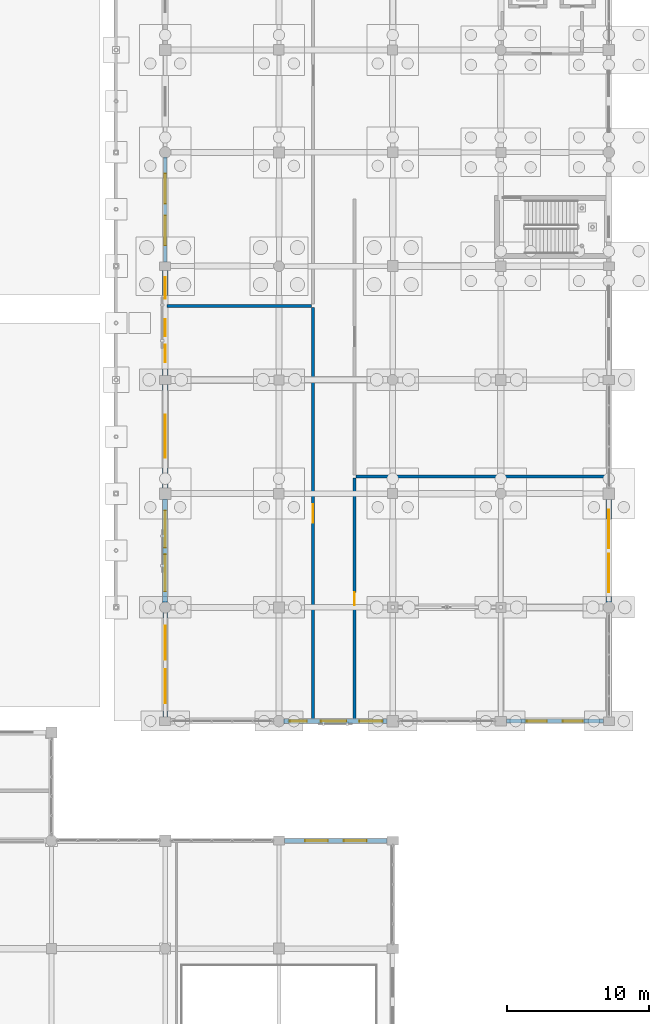
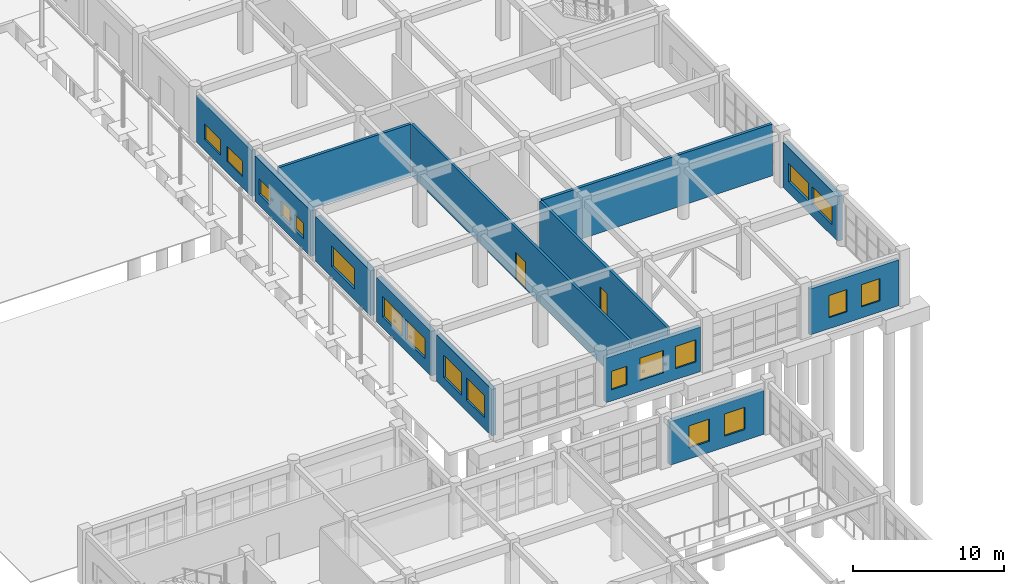
# One storey, part 139 of 166: 19 windows, 13 walls, 2 doors, 21 openings.
"""IFC4 building model written with IfcOpenShell, lengths in metres."""

from ifc_helpers import new_model, si_unit, direction, frame, frame_2d, origin, place, context, subcontext, project, spatial, rectangle, extrude, material, layer, layer_set, type_object, element, fill, save


model = new_model("IFC4")

# Units and contexts
model_context = context("Model", 3, precision=1e-05, world=origin(), true_north=direction((0.0, 1.0)))
body_context = subcontext(model_context, "Body", "Model", "MODEL_VIEW")
ifc_project = project(units=[si_unit("LENGTHUNIT", "METRE"), si_unit("AREAUNIT", "SQUARE_METRE"), si_unit("VOLUMEUNIT", "CUBIC_METRE"), si_unit("PLANEANGLEUNIT", "RADIAN"), si_unit("MASSUNIT", "GRAM", prefix="KILO")], contexts=[model_context])

# Site, building, storey
site_placement = place(None, origin())
site = spatial("IfcSite", under=ifc_project, at=site_placement, CompositionType="ELEMENT")
building_placement = place(site_placement, origin())
building = spatial("IfcBuilding", under=site, at=building_placement, Name="Kharva Crest Polytechnic", CompositionType="ELEMENT")
storey_placement = place(building_placement, origin())
storey = spatial("IfcBuildingStorey", under=building, at=storey_placement, Name="L00", CompositionType="ELEMENT", Elevation=0.0)

# Wall, openings, windows
ifc_material_1 = material(Name="Kiln brick masonry", Category="masonry")
ifc_layer_1 = layer(ifc_material_1, 0.260009765625, Name="Kiln brick masonry")
ifc_layer_set_1 = layer_set([ifc_layer_1], Name="Kiln brick masonry")
wall_type_1 = type_object("IfcWallType", Name="WL-EXT-BRK-260", PredefinedType="SOLIDWALL", material=ifc_layer_set_1)
wall_1_placement = place(storey_placement, frame((152.800048828125, 78.464111328125, 0.0), z_axis=(0.0, 0.0, 1.0), x_axis=(0.0, -1.0, 0.0)))
wall_1 = element("IfcWall", 1, at=wall_1_placement, inside=storey, type_object=wall_type_1, Name="L00 Exterior Brick Wall 96", PredefinedType="SOLIDWALL", context=body_context, shape_type="SweptSolid", body=[
    extrude(rectangle(XDim=7.369140625, YDim=0.260009765625, at=frame_2d((3.6845703125, 0.0))), origin(), (0.0, 0.0, 1.0), 3.760009765625),
])
opening_1_placement = place(wall_1_placement, frame((1.1630859375, 0.0, 0.89990234375)))
opening_1 = element("IfcOpeningElement", 2, at=opening_1_placement, cuts=wall_1, Name="Opening W18", PredefinedType="OPENING", context=body_context, shape_type="SweptSolid", body=[
    extrude(rectangle(XDim=2.10009765625, YDim=1.25, at=frame_2d((1.050048828125, 0.625))), frame((0.0, 0.139892578125, 0.0), z_axis=(0.0, -1.0, 0.0), x_axis=(1.0, 0.0, 0.0)), (0.0, 0.0, 1.0), 0.280029296875),
])
opening_2_placement = place(wall_1_placement, frame((4.10595703125, 0.0, 0.89990234375)))
opening_2 = element("IfcOpeningElement", 3, at=opening_2_placement, cuts=wall_1, Name="Opening W18", PredefinedType="OPENING", context=body_context, shape_type="SweptSolid", body=[
    extrude(rectangle(XDim=2.10009765625, YDim=1.25, at=frame_2d((1.050048828125, 0.625))), frame((0.0, 0.139892578125, 0.0), z_axis=(0.0, -1.0, 0.0), x_axis=(1.0, 0.0, 0.0)), (0.0, 0.0, 1.0), 0.280029296875),
])
ifc_material_2 = material(Name="Anodised aluminium", Category="aluminium")
window_type_1 = type_object("IfcWindowType", Name="WIN-ALU-2100X1250", PartitioningType="SINGLE_PANEL", PredefinedType="WINDOW", material=ifc_material_2)
window_1_placement = place(opening_1_placement, origin())
window_1 = element("IfcWindow", 4, at=window_1_placement, inside=storey, type_object=window_type_1, Name="L00 Exterior Window 113", OverallHeight=1.25, OverallWidth=2.10009765625, PartitioningType="SINGLE_PANEL", PredefinedType="WINDOW", context=body_context, shape_type="SweptSolid", body=[
    extrude(rectangle(XDim=2.10009765625, YDim=1.25, at=frame_2d((1.050048828125, 0.625))), frame((0.0, 0.030029296875, 0.0), z_axis=(0.0, -1.0, 0.0), x_axis=(1.0, 0.0, 0.0)), (0.0, 0.0, 1.0), 0.06005859375),
])
fill(opening_1, window_1)
window_2_placement = place(opening_2_placement, origin())
window_2 = element("IfcWindow", 5, at=window_2_placement, inside=storey, type_object=window_type_1, Name="L00 Exterior Window 114", OverallHeight=1.25, OverallWidth=2.10009765625, PartitioningType="SINGLE_PANEL", PredefinedType="WINDOW", context=body_context, shape_type="SweptSolid", body=[
    extrude(rectangle(XDim=2.10009765625, YDim=1.25, at=frame_2d((1.050048828125, 0.625))), frame((0.0, 0.030029296875, 0.0), z_axis=(0.0, -1.0, 0.0), x_axis=(1.0, 0.0, 0.0)), (0.0, 0.0, 1.0), 0.06005859375),
])
fill(opening_2, window_2)

ifc_layer_2 = layer(ifc_material_1, 0.27490234375, Name="Kiln brick masonry")
ifc_layer_set_2 = layer_set([ifc_layer_2], Name="Kiln brick masonry")
wall_type_2 = type_object("IfcWallType", Name="WL-EXT-BRK-275", PredefinedType="SOLIDWALL", material=ifc_layer_set_2)
wall_2_placement = place(storey_placement, frame((176.794921875, 38.800048828125, 0.0), z_axis=(0.0, 0.0, 1.0), x_axis=(1.0, 0.0, 0.0)))
wall_2 = element("IfcWall", 6, at=wall_2_placement, inside=storey, type_object=wall_type_2, Name="L00 Exterior Brick Wall 102", PredefinedType="SOLIDWALL", context=body_context, shape_type="SweptSolid", body=[
    extrude(rectangle(XDim=6.820068359375, YDim=0.27490234375, at=frame_2d((3.41015625, 0.0))), origin(), (0.0, 0.0, 1.0), 3.719970703125),
])
opening_3_placement = place(wall_2_placement, frame((1.447021484375, 0.0, 0.89990234375)))
opening_3 = element("IfcOpeningElement", 7, at=opening_3_placement, cuts=wall_2, Name="Opening W07", PredefinedType="OPENING", context=body_context, shape_type="SweptSolid", body=[
    extrude(rectangle(XDim=1.39990234375, YDim=1.800048828125, at=frame_2d((0.699951171875, 0.89990234375))), frame((0.0, 0.1474609375, 0.0), z_axis=(0.0, -1.0, 0.0), x_axis=(1.0, 0.0, 0.0)), (0.0, 0.0, 1.0), 0.294921875),
])
opening_4_placement = place(wall_2_placement, frame((3.972900390625, 0.0, 0.89990234375)))
opening_4 = element("IfcOpeningElement", 8, at=opening_4_placement, cuts=wall_2, Name="Opening W07", PredefinedType="OPENING", context=body_context, shape_type="SweptSolid", body=[
    extrude(rectangle(XDim=1.39990234375, YDim=1.800048828125, at=frame_2d((0.699951171875, 0.89990234375))), frame((0.0, 0.1474609375, 0.0), z_axis=(0.0, -1.0, 0.0), x_axis=(1.0, 0.0, 0.0)), (0.0, 0.0, 1.0), 0.294921875),
])
window_type_2 = type_object("IfcWindowType", Name="WIN-ALU-1400X1800", PartitioningType="SINGLE_PANEL", PredefinedType="WINDOW", material=ifc_material_2)
window_3_placement = place(opening_3_placement, origin())
window_3 = element("IfcWindow", 9, at=window_3_placement, inside=storey, type_object=window_type_2, Name="L00 Exterior Window 126", OverallHeight=1.800048828125, OverallWidth=1.39990234375, PartitioningType="SINGLE_PANEL", PredefinedType="WINDOW", context=body_context, shape_type="SweptSolid", body=[
    extrude(rectangle(XDim=1.39990234375, YDim=1.800048828125, at=frame_2d((0.699951171875, 0.89990234375))), frame((0.0, 0.030029296875, 0.0), z_axis=(0.0, -1.0, 0.0), x_axis=(1.0, 0.0, 0.0)), (0.0, 0.0, 1.0), 0.06005859375),
])
fill(opening_3, window_3)
window_4_placement = place(opening_4_placement, origin())
window_4 = element("IfcWindow", 10, at=window_4_placement, inside=storey, type_object=window_type_2, Name="L00 Exterior Window 127", OverallHeight=1.800048828125, OverallWidth=1.39990234375, PartitioningType="SINGLE_PANEL", PredefinedType="WINDOW", context=body_context, shape_type="SweptSolid", body=[
    extrude(rectangle(XDim=1.39990234375, YDim=1.800048828125, at=frame_2d((0.699951171875, 0.89990234375))), frame((0.0, 0.030029296875, 0.0), z_axis=(0.0, -1.0, 0.0), x_axis=(1.0, 0.0, 0.0)), (0.0, 0.0, 1.0), 0.06005859375),
])
fill(opening_4, window_4)

ifc_layer_3 = layer(ifc_material_1, 0.304931640625, Name="Kiln brick masonry")
ifc_layer_set_3 = layer_set([ifc_layer_3], Name="Kiln brick masonry")
wall_type_3 = type_object("IfcWallType", Name="WL-EXT-BRK-305", PredefinedType="SOLIDWALL", material=ifc_layer_set_3)
wall_3_placement = place(storey_placement, frame((161.135986328125, 38.800048828125, 0.0), z_axis=(0.0, 0.0, 1.0), x_axis=(1.0, 0.0, 0.0)))
wall_3 = element("IfcWall", 11, at=wall_3_placement, inside=storey, type_object=wall_type_3, Name="L00 Exterior Brick Wall 101", PredefinedType="SOLIDWALL", context=body_context, shape_type="SweptSolid", body=[
    extrude(rectangle(XDim=7.26904296875, YDim=0.304931640625, at=frame_2d((3.634521484375, 0.0))), origin(), (0.0, 0.0, 1.0), 3.6201171875),
])
opening_5_placement = place(wall_3_placement, frame((0.427001953125, 0.0, 0.89990234375)))
opening_5 = element("IfcOpeningElement", 12, at=opening_5_placement, cuts=wall_3, Name="Opening W16", PredefinedType="OPENING", context=body_context, shape_type="SweptSolid", body=[
    extrude(rectangle(XDim=1.199951171875, YDim=1.5, at=frame_2d((0.60009765625, 0.75))), frame((0.0, 0.162353515625, 0.0), z_axis=(0.0, -1.0, 0.0), x_axis=(1.0, 0.0, 0.0)), (0.0, 0.0, 1.0), 0.324951171875),
])
opening_6_placement = place(wall_3_placement, frame((2.614013671875, 0.0, 0.89990234375)))
opening_6 = element("IfcOpeningElement", 13, at=opening_6_placement, cuts=wall_3, Name="Opening W05", PredefinedType="OPENING", context=body_context, shape_type="SweptSolid", body=[
    extrude(rectangle(XDim=1.800048828125, YDim=1.800048828125, at=frame_2d((0.89990234375, 0.89990234375))), frame((0.0, 0.162353515625, 0.0), z_axis=(0.0, -1.0, 0.0), x_axis=(1.0, 0.0, 0.0)), (0.0, 0.0, 1.0), 0.324951171875),
])
opening_7_placement = place(wall_3_placement, frame((5.322021484375, 0.0, 0.89990234375)))
opening_7 = element("IfcOpeningElement", 14, at=opening_7_placement, cuts=wall_3, Name="Opening W06", PredefinedType="OPENING", context=body_context, shape_type="SweptSolid", body=[
    extrude(rectangle(XDim=1.60009765625, YDim=1.800048828125, at=frame_2d((0.800048828125, 0.89990234375))), frame((0.0, 0.162353515625, 0.0), z_axis=(0.0, -1.0, 0.0), x_axis=(1.0, 0.0, 0.0)), (0.0, 0.0, 1.0), 0.324951171875),
])
window_type_3 = type_object("IfcWindowType", Name="WIN-ALU-1200X1500", PartitioningType="SINGLE_PANEL", PredefinedType="WINDOW", material=ifc_material_2)
window_5_placement = place(opening_5_placement, origin())
window_5 = element("IfcWindow", 15, at=window_5_placement, inside=storey, type_object=window_type_3, Name="L00 Exterior Window 123", OverallHeight=1.5, OverallWidth=1.199951171875, PartitioningType="SINGLE_PANEL", PredefinedType="WINDOW", context=body_context, shape_type="SweptSolid", body=[
    extrude(rectangle(XDim=1.199951171875, YDim=1.5, at=frame_2d((0.60009765625, 0.75))), frame((0.0, 0.030029296875, 0.0), z_axis=(0.0, -1.0, 0.0), x_axis=(1.0, 0.0, 0.0)), (0.0, 0.0, 1.0), 0.06005859375),
])
fill(opening_5, window_5)
window_type_4 = type_object("IfcWindowType", Name="WIN-ALU-1600X1800", PartitioningType="SINGLE_PANEL", PredefinedType="WINDOW", material=ifc_material_2)
window_6_placement = place(opening_7_placement, origin())
window_6 = element("IfcWindow", 16, at=window_6_placement, inside=storey, type_object=window_type_4, Name="L00 Exterior Window 125", OverallHeight=1.800048828125, OverallWidth=1.60009765625, PartitioningType="SINGLE_PANEL", PredefinedType="WINDOW", context=body_context, shape_type="SweptSolid", body=[
    extrude(rectangle(XDim=1.60009765625, YDim=1.800048828125, at=frame_2d((0.800048828125, 0.89990234375))), frame((0.0, 0.030029296875, 0.0), z_axis=(0.0, -1.0, 0.0), x_axis=(1.0, 0.0, 0.0)), (0.0, 0.0, 1.0), 0.06005859375),
])
fill(opening_7, window_6)
window_type_5 = type_object("IfcWindowType", Name="WIN-ALU-1800X1800", PartitioningType="SINGLE_PANEL", PredefinedType="WINDOW", material=ifc_material_2)
window_7_placement = place(opening_6_placement, origin())
window_7 = element("IfcWindow", 17, at=window_7_placement, inside=storey, type_object=window_type_5, Name="L00 Exterior Window 124", OverallHeight=1.800048828125, OverallWidth=1.800048828125, PartitioningType="SINGLE_PANEL", PredefinedType="WINDOW", context=body_context, shape_type="SweptSolid", body=[
    extrude(rectangle(XDim=1.800048828125, YDim=1.800048828125, at=frame_2d((0.89990234375, 0.89990234375))), frame((0.0, 0.030029296875, 0.0), z_axis=(0.0, -1.0, 0.0), x_axis=(1.0, 0.0, 0.0)), (0.0, 0.0, 1.0), 0.06005859375),
])
fill(opening_6, window_7)

ifc_layer_4 = layer(ifc_material_1, 0.320068359375, Name="Kiln brick masonry")
ifc_layer_set_4 = layer_set([ifc_layer_4], Name="Kiln brick masonry")
wall_type_4 = type_object("IfcWallType", Name="WL-EXT-BRK-320", PredefinedType="SOLIDWALL", material=ifc_layer_set_4)
wall_4_placement = place(storey_placement, frame((168.4150390625, 30.39990234375, 0.0), z_axis=(0.0, 0.0, 1.0), x_axis=(-1.0, 0.0, 0.0)))
wall_4 = element("IfcWall", 18, at=wall_4_placement, inside=storey, type_object=wall_type_4, Name="L00 Exterior Brick Wall 58", PredefinedType="SOLIDWALL", context=body_context, shape_type="SweptSolid", body=[
    extrude(rectangle(XDim=7.219970703125, YDim=0.320068359375, at=frame_2d((3.60986328125, 0.0))), origin(), (0.0, 0.0, 1.0), 3.5400390625),
])
opening_8_placement = place(wall_4_placement, frame((1.447021484375, 0.0, 0.89990234375)))
opening_8 = element("IfcOpeningElement", 19, at=opening_8_placement, cuts=wall_4, Name="Opening W06", PredefinedType="OPENING", context=body_context, shape_type="SweptSolid", body=[
    extrude(rectangle(XDim=1.60009765625, YDim=1.800048828125, at=frame_2d((0.800048828125, 0.89990234375))), frame((0.0, 0.169921875, 0.0), z_axis=(0.0, -1.0, 0.0), x_axis=(1.0, 0.0, 0.0)), (0.0, 0.0, 1.0), 0.340087890625),
])
opening_9_placement = place(wall_4_placement, frame((4.173095703125, 0.0, 0.89990234375)))
opening_9 = element("IfcOpeningElement", 20, at=opening_9_placement, cuts=wall_4, Name="Opening W06", PredefinedType="OPENING", context=body_context, shape_type="SweptSolid", body=[
    extrude(rectangle(XDim=1.60009765625, YDim=1.800048828125, at=frame_2d((0.800048828125, 0.89990234375))), frame((0.0, 0.169921875, 0.0), z_axis=(0.0, -1.0, 0.0), x_axis=(1.0, 0.0, 0.0)), (0.0, 0.0, 1.0), 0.340087890625),
])
window_8_placement = place(opening_8_placement, origin())
window_8 = element("IfcWindow", 21, at=window_8_placement, inside=storey, type_object=window_type_4, Name="L00 Exterior Window 77", OverallHeight=1.800048828125, OverallWidth=1.60009765625, PartitioningType="SINGLE_PANEL", PredefinedType="WINDOW", context=body_context, shape_type="SweptSolid", body=[
    extrude(rectangle(XDim=1.60009765625, YDim=1.800048828125, at=frame_2d((0.800048828125, 0.89990234375))), frame((0.0, 0.030029296875, 0.0), z_axis=(0.0, -1.0, 0.0), x_axis=(1.0, 0.0, 0.0)), (0.0, 0.0, 1.0), 0.06005859375),
])
fill(opening_8, window_8)
window_9_placement = place(opening_9_placement, origin())
window_9 = element("IfcWindow", 22, at=window_9_placement, inside=storey, type_object=window_type_4, Name="L00 Exterior Window 78", OverallHeight=1.800048828125, OverallWidth=1.60009765625, PartitioningType="SINGLE_PANEL", PredefinedType="WINDOW", context=body_context, shape_type="SweptSolid", body=[
    extrude(rectangle(XDim=1.60009765625, YDim=1.800048828125, at=frame_2d((0.800048828125, 0.89990234375))), frame((0.0, 0.030029296875, 0.0), z_axis=(0.0, -1.0, 0.0), x_axis=(1.0, 0.0, 0.0)), (0.0, 0.0, 1.0), 0.06005859375),
])
fill(opening_9, window_9)

ifc_layer_5 = layer(ifc_material_1, 0.3349609375, Name="Kiln brick masonry")
ifc_layer_set_5 = layer_set([ifc_layer_5], Name="Kiln brick masonry")
wall_type_5 = type_object("IfcWallType", Name="WL-EXT-BRK-335", PredefinedType="SOLIDWALL", material=ifc_layer_set_5)
wall_5_placement = place(storey_placement, frame((152.800048828125, 46.464111328125, 0.0), z_axis=(0.0, 0.0, 1.0), x_axis=(0.0, -1.0, 0.0)))
wall_5 = element("IfcWall", 23, at=wall_5_placement, inside=storey, type_object=wall_type_5, Name="L00 Exterior Brick Wall 100", PredefinedType="SOLIDWALL", context=body_context, shape_type="SweptSolid", body=[
    extrude(rectangle(XDim=7.369140625, YDim=0.3349609375, at=frame_2d((3.6845703125, 0.0))), origin(), (0.0, 0.0, 1.0), 3.780029296875),
])
opening_10_placement = place(wall_5_placement, frame((0.962890625, 0.0, 0.89990234375)))
opening_10 = element("IfcOpeningElement", 24, at=opening_10_placement, cuts=wall_5, Name="Opening W02", PredefinedType="OPENING", context=body_context, shape_type="SweptSolid", body=[
    extrude(rectangle(XDim=2.39990234375, YDim=1.800048828125, at=frame_2d((1.199951171875, 0.89990234375))), frame((0.0, 0.177490234375, 0.0), z_axis=(0.0, -1.0, 0.0), x_axis=(1.0, 0.0, 0.0)), (0.0, 0.0, 1.0), 0.35498046875),
])
opening_11_placement = place(wall_5_placement, frame((4.006103515625, 0.0, 0.89990234375)))
opening_11 = element("IfcOpeningElement", 25, at=opening_11_placement, cuts=wall_5, Name="Opening W02", PredefinedType="OPENING", context=body_context, shape_type="SweptSolid", body=[
    extrude(rectangle(XDim=2.39990234375, YDim=1.800048828125, at=frame_2d((1.199951171875, 0.89990234375))), frame((0.0, 0.177490234375, 0.0), z_axis=(0.0, -1.0, 0.0), x_axis=(1.0, 0.0, 0.0)), (0.0, 0.0, 1.0), 0.35498046875),
])
window_type_6 = type_object("IfcWindowType", Name="WIN-ALU-2400X1800", PartitioningType="SINGLE_PANEL", PredefinedType="WINDOW", material=ifc_material_2)
window_10_placement = place(opening_10_placement, origin())
window_10 = element("IfcWindow", 26, at=window_10_placement, inside=storey, type_object=window_type_6, Name="L00 Exterior Window 121", OverallHeight=1.800048828125, OverallWidth=2.39990234375, PartitioningType="SINGLE_PANEL", PredefinedType="WINDOW", context=body_context, shape_type="SweptSolid", body=[
    extrude(rectangle(XDim=2.39990234375, YDim=1.800048828125, at=frame_2d((1.199951171875, 0.89990234375))), frame((0.0, 0.030029296875, 0.0), z_axis=(0.0, -1.0, 0.0), x_axis=(1.0, 0.0, 0.0)), (0.0, 0.0, 1.0), 0.06005859375),
])
fill(opening_10, window_10)
window_11_placement = place(opening_11_placement, origin())
window_11 = element("IfcWindow", 27, at=window_11_placement, inside=storey, type_object=window_type_6, Name="L00 Exterior Window 122", OverallHeight=1.800048828125, OverallWidth=2.39990234375, PartitioningType="SINGLE_PANEL", PredefinedType="WINDOW", context=body_context, shape_type="SweptSolid", body=[
    extrude(rectangle(XDim=2.39990234375, YDim=1.800048828125, at=frame_2d((1.199951171875, 0.89990234375))), frame((0.0, 0.030029296875, 0.0), z_axis=(0.0, -1.0, 0.0), x_axis=(1.0, 0.0, 0.0)), (0.0, 0.0, 1.0), 0.06005859375),
])
fill(opening_11, window_11)

ifc_layer_6 = layer(ifc_material_1, 0.35009765625, Name="Kiln brick masonry")
ifc_layer_set_6 = layer_set([ifc_layer_6], Name="Kiln brick masonry")
wall_type_6 = type_object("IfcWallType", Name="WL-EXT-BRK-350", PredefinedType="SOLIDWALL", material=ifc_layer_set_6)
wall_6_placement = place(storey_placement, frame((152.800048828125, 54.405029296875, 0.0), z_axis=(0.0, 0.0, 1.0), x_axis=(0.0, -1.0, 0.0)))
wall_6 = element("IfcWall", 28, at=wall_6_placement, inside=storey, type_object=wall_type_6, Name="L00 Exterior Brick Wall 99", PredefinedType="SOLIDWALL", context=body_context, shape_type="SweptSolid", body=[
    extrude(rectangle(XDim=7.26904296875, YDim=0.35009765625, at=frame_2d((3.634521484375, 0.0))), origin(), (0.0, 0.0, 1.0), 3.60009765625),
])
opening_12_placement = place(wall_6_placement, frame((0.7958984375, 0.0, 0.89990234375)))
opening_12 = element("IfcOpeningElement", 29, at=opening_12_placement, cuts=wall_6, Name="Opening W24", PredefinedType="OPENING", context=body_context, shape_type="SweptSolid", body=[
    extrude(rectangle(XDim=2.60009765625, YDim=1.64990234375, at=frame_2d((1.300048828125, 0.824951171875))), frame((0.0, 0.18505859375, 0.0), z_axis=(0.0, -1.0, 0.0), x_axis=(1.0, 0.0, 0.0)), (0.0, 0.0, 1.0), 0.3701171875),
])
opening_13_placement = place(wall_6_placement, frame((3.873046875, 0.0, 0.89990234375)))
opening_13 = element("IfcOpeningElement", 30, at=opening_13_placement, cuts=wall_6, Name="Opening W24", PredefinedType="OPENING", context=body_context, shape_type="SweptSolid", body=[
    extrude(rectangle(XDim=2.60009765625, YDim=1.64990234375, at=frame_2d((1.300048828125, 0.824951171875))), frame((0.0, 0.18505859375, 0.0), z_axis=(0.0, -1.0, 0.0), x_axis=(1.0, 0.0, 0.0)), (0.0, 0.0, 1.0), 0.3701171875),
])
window_type_7 = type_object("IfcWindowType", Name="WIN-ALU-2600X1650", PartitioningType="SINGLE_PANEL", PredefinedType="WINDOW", material=ifc_material_2)
window_12_placement = place(opening_12_placement, origin())
window_12 = element("IfcWindow", 31, at=window_12_placement, inside=storey, type_object=window_type_7, Name="L00 Exterior Window 119", OverallHeight=1.64990234375, OverallWidth=2.60009765625, PartitioningType="SINGLE_PANEL", PredefinedType="WINDOW", context=body_context, shape_type="SweptSolid", body=[
    extrude(rectangle(XDim=2.60009765625, YDim=1.64990234375, at=frame_2d((1.300048828125, 0.824951171875))), frame((0.0, 0.030029296875, 0.0), z_axis=(0.0, -1.0, 0.0), x_axis=(1.0, 0.0, 0.0)), (0.0, 0.0, 1.0), 0.06005859375),
])
fill(opening_12, window_12)
window_13_placement = place(opening_13_placement, origin())
window_13 = element("IfcWindow", 32, at=window_13_placement, inside=storey, type_object=window_type_7, Name="L00 Exterior Window 120", OverallHeight=1.64990234375, OverallWidth=2.60009765625, PartitioningType="SINGLE_PANEL", PredefinedType="WINDOW", context=body_context, shape_type="SweptSolid", body=[
    extrude(rectangle(XDim=2.60009765625, YDim=1.64990234375, at=frame_2d((1.300048828125, 0.824951171875))), frame((0.0, 0.030029296875, 0.0), z_axis=(0.0, -1.0, 0.0), x_axis=(1.0, 0.0, 0.0)), (0.0, 0.0, 1.0), 0.06005859375),
])
fill(opening_13, window_13)

# Wall, opening, window
ifc_layer_7 = layer(ifc_material_1, 0.364990234375, Name="Kiln brick masonry")
ifc_layer_set_7 = layer_set([ifc_layer_7], Name="Kiln brick masonry")
wall_type_7 = type_object("IfcWallType", Name="WL-EXT-BRK-365", PredefinedType="SOLIDWALL", material=ifc_layer_set_7)
wall_7_placement = place(storey_placement, frame((152.800048828125, 62.47998046875, 0.0), z_axis=(0.0, 0.0, 1.0), x_axis=(0.0, -1.0, 0.0)))
wall_7 = element("IfcWall", 33, at=wall_7_placement, inside=storey, type_object=wall_type_7, Name="L00 Exterior Brick Wall 98", PredefinedType="SOLIDWALL", context=body_context, shape_type="SweptSolid", body=[
    extrude(rectangle(XDim=7.284912109375, YDim=0.364990234375, at=frame_2d((3.642578125, 0.0))), origin(), (0.0, 0.0, 1.0), 3.639892578125),
])
opening_14_placement = place(wall_7_placement, frame((2.14208984375, 0.0, 0.89990234375)))
opening_14 = element("IfcOpeningElement", 34, at=opening_14_placement, cuts=wall_7, Name="Opening W23", PredefinedType="OPENING", context=body_context, shape_type="SweptSolid", body=[
    extrude(rectangle(XDim=3.0, YDim=1.64990234375, at=frame_2d((1.5, 0.824951171875))), frame((0.0, 0.1923828125, 0.0), z_axis=(0.0, -1.0, 0.0), x_axis=(1.0, 0.0, 0.0)), (0.0, 0.0, 1.0), 0.385009765625),
])
window_type_8 = type_object("IfcWindowType", Name="WIN-ALU-3000X1650", PartitioningType="SINGLE_PANEL", PredefinedType="WINDOW", material=ifc_material_2)
window_14_placement = place(opening_14_placement, origin())
window_14 = element("IfcWindow", 35, at=window_14_placement, inside=storey, type_object=window_type_8, Name="L00 Exterior Window 118", OverallHeight=1.64990234375, OverallWidth=3.0, PartitioningType="SINGLE_PANEL", PredefinedType="WINDOW", context=body_context, shape_type="SweptSolid", body=[
    extrude(rectangle(XDim=3.0, YDim=1.64990234375, at=frame_2d((1.5, 0.824951171875))), frame((0.0, 0.030029296875, 0.0), z_axis=(0.0, -1.0, 0.0), x_axis=(1.0, 0.0, 0.0)), (0.0, 0.0, 1.0), 0.06005859375),
])
fill(opening_14, window_14)

# Wall, openings, windows
ifc_layer_8 = layer(ifc_material_1, 0.3798828125, Name="Kiln brick masonry")
ifc_layer_set_8 = layer_set([ifc_layer_8], Name="Kiln brick masonry")
wall_type_8 = type_object("IfcWallType", Name="WL-EXT-BRK-380", PredefinedType="SOLIDWALL", material=ifc_layer_set_8)
wall_8_placement = place(storey_placement, frame((152.800048828125, 70.5048828125, 0.0), z_axis=(0.0, 0.0, 1.0), x_axis=(0.0, -1.0, 0.0)))
wall_8 = element("IfcWall", 36, at=wall_8_placement, inside=storey, type_object=wall_type_8, Name="L00 Exterior Brick Wall 97", PredefinedType="SOLIDWALL", context=body_context, shape_type="SweptSolid", body=[
    extrude(rectangle(XDim=7.384765625, YDim=0.3798828125, at=frame_2d((3.6923828125, 0.0))), origin(), (0.0, 0.0, 1.0), 3.699951171875),
])
opening_15_placement = place(wall_8_placement, frame((0.498046875, 0.0, 0.89990234375)))
opening_15 = element("IfcOpeningElement", 37, at=opening_15_placement, cuts=wall_8, Name="Opening W20", PredefinedType="OPENING", context=body_context, shape_type="SweptSolid", body=[
    extrude(rectangle(XDim=1.5, YDim=1.25, at=frame_2d((0.75, 0.625))), frame((0.0, 0.199951171875, 0.0), z_axis=(0.0, -1.0, 0.0), x_axis=(1.0, 0.0, 0.0)), (0.0, 0.0, 1.0), 0.39990234375),
])
opening_16_placement = place(wall_8_placement, frame((3.431884765625, 0.0, 0.89990234375)))
opening_16 = element("IfcOpeningElement", 38, at=opening_16_placement, cuts=wall_8, Name="Opening W21", PredefinedType="OPENING", context=body_context, shape_type="SweptSolid", body=[
    extrude(rectangle(XDim=1.199951171875, YDim=1.25, at=frame_2d((0.60009765625, 0.625))), frame((0.0, 0.199951171875, 0.0), z_axis=(0.0, -1.0, 0.0), x_axis=(1.0, 0.0, 0.0)), (0.0, 0.0, 1.0), 0.39990234375),
])
opening_17_placement = place(wall_8_placement, frame((5.248046875, 0.0, 0.89990234375)))
opening_17 = element("IfcOpeningElement", 39, at=opening_17_placement, cuts=wall_8, Name="Opening W21", PredefinedType="OPENING", context=body_context, shape_type="SweptSolid", body=[
    extrude(rectangle(XDim=1.199951171875, YDim=1.25, at=frame_2d((0.60009765625, 0.625))), frame((0.0, 0.199951171875, 0.0), z_axis=(0.0, -1.0, 0.0), x_axis=(1.0, 0.0, 0.0)), (0.0, 0.0, 1.0), 0.39990234375),
])
window_type_9 = type_object("IfcWindowType", Name="WIN-ALU-1200X1250", PartitioningType="SINGLE_PANEL", PredefinedType="WINDOW", material=ifc_material_2)
window_15_placement = place(opening_16_placement, origin())
window_15 = element("IfcWindow", 40, at=window_15_placement, inside=storey, type_object=window_type_9, Name="L00 Exterior Window 116", OverallHeight=1.25, OverallWidth=1.199951171875, PartitioningType="SINGLE_PANEL", PredefinedType="WINDOW", context=body_context, shape_type="SweptSolid", body=[
    extrude(rectangle(XDim=1.199951171875, YDim=1.25, at=frame_2d((0.60009765625, 0.625))), frame((0.0, 0.030029296875, 0.0), z_axis=(0.0, -1.0, 0.0), x_axis=(1.0, 0.0, 0.0)), (0.0, 0.0, 1.0), 0.06005859375),
])
fill(opening_16, window_15)
window_16_placement = place(opening_17_placement, origin())
window_16 = element("IfcWindow", 41, at=window_16_placement, inside=storey, type_object=window_type_9, Name="L00 Exterior Window 117", OverallHeight=1.25, OverallWidth=1.199951171875, PartitioningType="SINGLE_PANEL", PredefinedType="WINDOW", context=body_context, shape_type="SweptSolid", body=[
    extrude(rectangle(XDim=1.199951171875, YDim=1.25, at=frame_2d((0.60009765625, 0.625))), frame((0.0, 0.030029296875, 0.0), z_axis=(0.0, -1.0, 0.0), x_axis=(1.0, 0.0, 0.0)), (0.0, 0.0, 1.0), 0.06005859375),
])
fill(opening_17, window_16)
window_type_10 = type_object("IfcWindowType", Name="WIN-ALU-1500X1250", PartitioningType="SINGLE_PANEL", PredefinedType="WINDOW", material=ifc_material_2)
window_17_placement = place(opening_15_placement, origin())
window_17 = element("IfcWindow", 42, at=window_17_placement, inside=storey, type_object=window_type_10, Name="L00 Exterior Window 115", OverallHeight=1.25, OverallWidth=1.5, PartitioningType="SINGLE_PANEL", PredefinedType="WINDOW", context=body_context, shape_type="SweptSolid", body=[
    extrude(rectangle(XDim=1.5, YDim=1.25, at=frame_2d((0.75, 0.625))), frame((0.0, 0.030029296875, 0.0), z_axis=(0.0, -1.0, 0.0), x_axis=(1.0, 0.0, 0.0)), (0.0, 0.0, 1.0), 0.06005859375),
])
fill(opening_15, window_17)

wall_9_placement = place(storey_placement, frame((184.0, 47.135986328125, 0.0), z_axis=(0.0, 0.0, 1.0), x_axis=(0.0, 1.0, 0.0)))
wall_9 = element("IfcWall", 43, at=wall_9_placement, inside=storey, type_object=wall_type_8, Name="L00 Exterior Brick Wall 103", PredefinedType="SOLIDWALL", context=body_context, shape_type="SweptSolid", body=[
    extrude(rectangle(XDim=7.26904296875, YDim=0.3798828125, at=frame_2d((3.634521484375, 0.0))), origin(), (0.0, 0.0, 1.0), 3.639892578125),
])
opening_18_placement = place(wall_9_placement, frame((0.72998046875, 0.0, 0.89990234375)))
opening_18 = element("IfcOpeningElement", 44, at=opening_18_placement, cuts=wall_9, Name="Opening W09", PredefinedType="OPENING", context=body_context, shape_type="SweptSolid", body=[
    extrude(rectangle(XDim=2.699951171875, YDim=1.5, at=frame_2d((1.35009765625, 0.75))), frame((0.0, 0.199951171875, 0.0), z_axis=(0.0, -1.0, 0.0), x_axis=(1.0, 0.0, 0.0)), (0.0, 0.0, 1.0), 0.39990234375),
])
opening_19_placement = place(wall_9_placement, frame((3.839111328125, 0.0, 0.89990234375)))
opening_19 = element("IfcOpeningElement", 45, at=opening_19_placement, cuts=wall_9, Name="Opening W09", PredefinedType="OPENING", context=body_context, shape_type="SweptSolid", body=[
    extrude(rectangle(XDim=2.699951171875, YDim=1.5, at=frame_2d((1.35009765625, 0.75))), frame((0.0, 0.199951171875, 0.0), z_axis=(0.0, -1.0, 0.0), x_axis=(1.0, 0.0, 0.0)), (0.0, 0.0, 1.0), 0.39990234375),
])
window_type_11 = type_object("IfcWindowType", Name="WIN-ALU-2700X1500", PartitioningType="SINGLE_PANEL", PredefinedType="WINDOW", material=ifc_material_2)
window_18_placement = place(opening_18_placement, origin())
window_18 = element("IfcWindow", 46, at=window_18_placement, inside=storey, type_object=window_type_11, Name="L00 Exterior Window 128", OverallHeight=1.5, OverallWidth=2.699951171875, PartitioningType="SINGLE_PANEL", PredefinedType="WINDOW", context=body_context, shape_type="SweptSolid", body=[
    extrude(rectangle(XDim=2.699951171875, YDim=1.5, at=frame_2d((1.35009765625, 0.75))), frame((0.0, 0.030029296875, 0.0), z_axis=(0.0, -1.0, 0.0), x_axis=(1.0, 0.0, 0.0)), (0.0, 0.0, 1.0), 0.06005859375),
])
fill(opening_18, window_18)
window_19_placement = place(opening_19_placement, origin())
window_19 = element("IfcWindow", 47, at=window_19_placement, inside=storey, type_object=window_type_11, Name="L00 Exterior Window 129", OverallHeight=1.5, OverallWidth=2.699951171875, PartitioningType="SINGLE_PANEL", PredefinedType="WINDOW", context=body_context, shape_type="SweptSolid", body=[
    extrude(rectangle(XDim=2.699951171875, YDim=1.5, at=frame_2d((1.35009765625, 0.75))), frame((0.0, 0.030029296875, 0.0), z_axis=(0.0, -1.0, 0.0), x_axis=(1.0, 0.0, 0.0)), (0.0, 0.0, 1.0), 0.06005859375),
])
fill(opening_19, window_19)

# Wall, opening, door
ifc_layer_9 = layer(ifc_material_1, 0.18994140625, Name="Kiln brick masonry")
ifc_layer_set_9 = layer_set([ifc_layer_9], Name="Kiln brick masonry")
wall_type_9 = type_object("IfcWallType", Name="WL-PART-190", PredefinedType="PARTITIONING", material=ifc_layer_set_9)
wall_10_placement = place(storey_placement, frame((163.18994140625, 38.909912109375, 0.0), z_axis=(0.0, 0.0, 1.0), x_axis=(0.0, 1.0, 0.0)))
wall_10 = element("IfcWall", 48, at=wall_10_placement, inside=storey, type_object=wall_type_9, Name="L00 Interior Partition 107", PredefinedType="PARTITIONING", context=body_context, shape_type="SweptSolid", body=[
    extrude(rectangle(XDim=28.97998046875, YDim=0.18994140625, at=frame_2d((14.489990234375, 0.0))), origin(), (0.0, 0.0, 1.0), 4.199951171875),
])
opening_20_placement = place(wall_10_placement, frame((13.85009765625, 0.0, 0.0)))
opening_20 = element("IfcOpeningElement", 49, at=opening_20_placement, cuts=wall_10, Name="Opening ID7", PredefinedType="OPENING", context=body_context, shape_type="SweptSolid", body=[
    extrude(rectangle(XDim=1.280029296875, YDim=2.199951171875, at=frame_2d((0.64013671875, 1.10009765625))), frame((0.0, 0.10498046875, 0.0), z_axis=(0.0, -1.0, 0.0), x_axis=(1.0, 0.0, 0.0)), (0.0, 0.0, 1.0), 0.2099609375),
])
ifc_material_3 = material(Name="Teak timber", Category="wood")
door_type_1 = type_object("IfcDoorType", Name="DR-LAB-1280X2200", OperationType="NOTDEFINED", PredefinedType="DOOR", material=ifc_material_3)
door_1_placement = place(opening_20_placement, origin())
door_1 = element("IfcDoor", 50, at=door_1_placement, inside=storey, type_object=door_type_1, Name="L00 High-Voltage Electrical Machines Laboratory Door", OperationType="SINGLE_SWING_RIGHT", OverallHeight=2.199951171875, OverallWidth=1.280029296875, PredefinedType="DOOR", context=body_context, shape_type="SweptSolid", body=[
    extrude(rectangle(XDim=1.280029296875, YDim=2.199951171875, at=frame_2d((0.64013671875, 1.10009765625))), frame((0.0, 0.02490234375, 0.0), z_axis=(0.0, -1.0, 0.0), x_axis=(1.0, 0.0, 0.0)), (0.0, 0.0, 1.0), 0.050048828125),
])
fill(opening_20, door_1)

# Wall
ifc_layer_10 = layer(ifc_material_1, 0.205078125, Name="Kiln brick masonry")
ifc_layer_set_10 = layer_set([ifc_layer_10], Name="Kiln brick masonry")
wall_type_10 = type_object("IfcWallType", Name="WL-PART-205", PredefinedType="PARTITIONING", material=ifc_layer_set_10)
wall_11_placement = place(storey_placement, frame((152.909912109375, 68.0, 0.0), z_axis=(0.0, 0.0, 1.0), x_axis=(1.0, 0.0, 0.0)))
element("IfcWall", 51, at=wall_11_placement, inside=storey, type_object=wall_type_10, Name="L00 Interior Partition 106", PredefinedType="PARTITIONING", context=body_context, shape_type="SweptSolid", body=[
    extrude(rectangle(XDim=10.170166015625, YDim=0.205078125, at=frame_2d((5.0849609375, 0.0))), origin(), (0.0, 0.0, 1.0), 4.199951171875),
])

# Wall, opening, door
wall_12_placement = place(storey_placement, frame((166.110107421875, 38.909912109375, 0.0), z_axis=(0.0, 0.0, 1.0), x_axis=(0.0, 1.0, 0.0)))
wall_12 = element("IfcWall", 52, at=wall_12_placement, inside=storey, type_object=wall_type_10, Name="L00 Interior Partition 110", PredefinedType="PARTITIONING", context=body_context, shape_type="SweptSolid", body=[
    extrude(rectangle(XDim=16.97998046875, YDim=0.205078125, at=frame_2d((8.489990234375, 0.0))), origin(), (0.0, 0.0, 1.0), 4.199951171875),
])
opening_21_placement = place(wall_12_placement, frame((8.030029296875, 0.0, 0.0)))
opening_21 = element("IfcOpeningElement", 53, at=opening_21_placement, cuts=wall_12, Name="Opening ID16", PredefinedType="OPENING", context=body_context, shape_type="SweptSolid", body=[
    extrude(rectangle(XDim=0.919921875, YDim=2.10009765625, at=frame_2d((0.4599609375, 1.050048828125))), frame((0.0, 0.112548828125, 0.0), z_axis=(0.0, -1.0, 0.0), x_axis=(1.0, 0.0, 0.0)), (0.0, 0.0, 1.0), 0.22509765625),
])
door_type_2 = type_object("IfcDoorType", Name="DR-STR-920X2100", OperationType="NOTDEFINED", PredefinedType="DOOR", material=ifc_material_3)
door_2_placement = place(opening_21_placement, origin())
door_2 = element("IfcDoor", 54, at=door_2_placement, inside=storey, type_object=door_type_2, Name="L00 Switchgear Plant Room L00 Door", OperationType="SINGLE_SWING_RIGHT", OverallHeight=2.10009765625, OverallWidth=0.919921875, PredefinedType="DOOR", context=body_context, shape_type="SweptSolid", body=[
    extrude(rectangle(XDim=0.919921875, YDim=2.10009765625, at=frame_2d((0.4599609375, 1.050048828125))), frame((0.0, 0.02490234375, 0.0), z_axis=(0.0, -1.0, 0.0), x_axis=(1.0, 0.0, 0.0)), (0.0, 0.0, 1.0), 0.050048828125),
])
fill(opening_21, door_2)

# Wall
ifc_layer_11 = layer(ifc_material_1, 0.215087890625, Name="Kiln brick masonry")
ifc_layer_set_11 = layer_set([ifc_layer_11], Name="Kiln brick masonry")
wall_type_11 = type_object("IfcWallType", Name="WL-PART-215", PredefinedType="PARTITIONING", material=ifc_layer_set_11)
wall_13_placement = place(storey_placement, frame((166.219970703125, 56.0, 0.0), z_axis=(0.0, 0.0, 1.0), x_axis=(1.0, 0.0, 0.0)))
element("IfcWall", 55, at=wall_13_placement, inside=storey, type_object=wall_type_11, Name="L00 Interior Partition 109", PredefinedType="PARTITIONING", context=body_context, shape_type="SweptSolid", body=[
    extrude(rectangle(XDim=17.669921875, YDim=0.215087890625, at=frame_2d((8.8349609375, 0.0))), origin(), (0.0, 0.0, 1.0), 4.199951171875),
])

save(model, "model.ifc")
